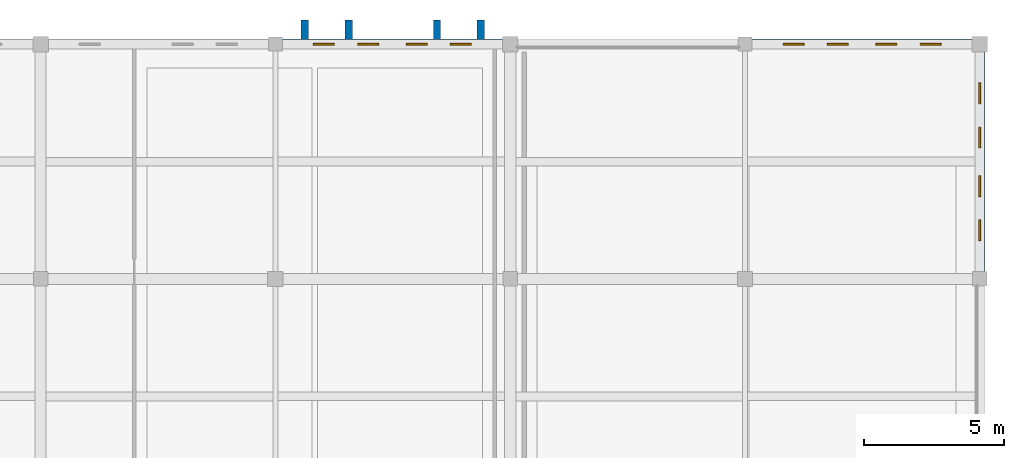
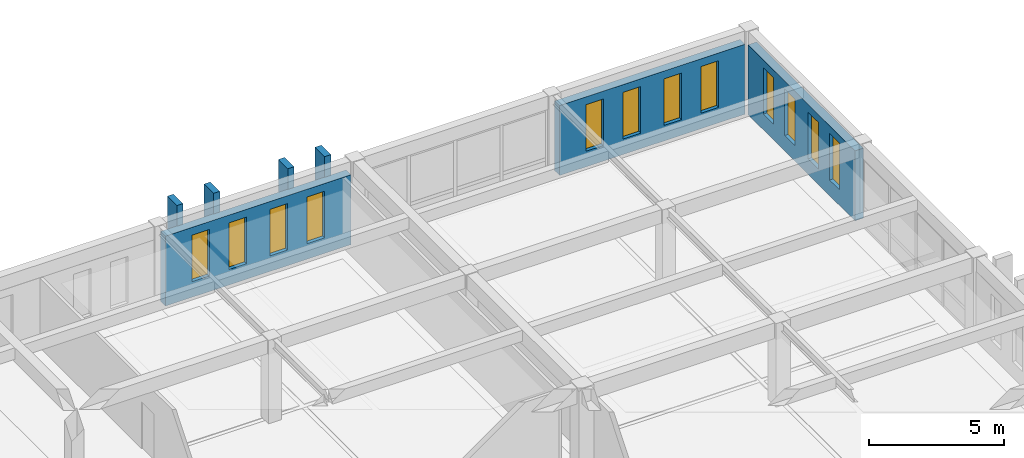
# One storey, part 39 of 47: 12 windows, 7 walls, 12 openings.
"""IFC4 building model written with IfcOpenShell, lengths in metres."""

from ifc_helpers import new_model, si_unit, direction, frame, frame_2d, origin, place, context, subcontext, project, spatial, rectangle, extrude, material, layer, layer_set, type_object, element, fill, save


model = new_model("IFC4")

# Units and contexts
model_context = context("Model", 3, precision=1e-05, world=origin(), true_north=direction((0.0, 1.0)))
body_context = subcontext(model_context, "Body", "Model", "MODEL_VIEW")
ifc_project = project(units=[si_unit("LENGTHUNIT", "METRE"), si_unit("AREAUNIT", "SQUARE_METRE"), si_unit("VOLUMEUNIT", "CUBIC_METRE"), si_unit("PLANEANGLEUNIT", "RADIAN"), si_unit("MASSUNIT", "GRAM", prefix="KILO")], contexts=[model_context])

# Site, building, storey
site_placement = place(None, origin())
site = spatial("IfcSite", under=ifc_project, at=site_placement, CompositionType="ELEMENT")
building_placement = place(site_placement, origin())
building = spatial("IfcBuilding", under=site, at=building_placement, Name="Kveldsbrygga Polytechnic", CompositionType="ELEMENT")
storey_placement = place(building_placement, frame((0.0, 0.0, 13.93994140625)))
storey = spatial("IfcBuildingStorey", under=building, at=storey_placement, Name="L03", CompositionType="ELEMENT", Elevation=13.93994140625)

# Wall, openings, windows
ifc_material_1 = material(Name="Fired clay brick masonry M10", Category="masonry")
ifc_layer_1 = layer(ifc_material_1, 0.360107421875)
ifc_layer_set_1 = layer_set([ifc_layer_1], Name="Fired clay brick masonry M10")
wall_type_1 = type_object("IfcWallType", Name="EW-BRICK-360", PredefinedType="SOLIDWALL", material=ifc_layer_set_1)
wall_1_placement = place(storey_placement, frame((143.034912109375, 117.60009765625, 0.0), z_axis=(0.0, 0.0, 1.0), x_axis=(1.0, 0.0, 0.0)))
wall_1 = element("IfcWall", 1, at=wall_1_placement, inside=storey, type_object=wall_type_1, Name="Exterior Brick Wall EW-L03-X-17-14", PredefinedType="SOLIDWALL", context=body_context, shape_type="SweptSolid", body=[
    extrude(rectangle(XDim=7.905029296875, YDim=0.360107421875, at=frame_2d((3.95263671875, 0.0))), origin(), (0.0, 0.0, 1.0), 3.150146484375),
])
opening_1_placement = place(wall_1_placement, frame((1.126953125, 0.0, 0.699951171875)))
opening_1 = element("IfcOpeningElement", 2, at=opening_1_placement, cuts=wall_1, Name="Opening W-27", PredefinedType="OPENING", context=body_context, shape_type="SweptSolid", body=[
    extrude(rectangle(XDim=0.75, YDim=2.10009765625, at=frame_2d((0.375, 1.050048828125))), frame((0.0, 0.18994140625, 0.0), z_axis=(0.0, -1.0, 0.0), x_axis=(1.0, 0.0, 0.0)), (0.0, 0.0, 1.0), 0.380126953125),
])
opening_2_placement = place(wall_1_placement, frame((2.7080078125, 0.0, 0.699951171875)))
opening_2 = element("IfcOpeningElement", 3, at=opening_2_placement, cuts=wall_1, Name="Opening W-27", PredefinedType="OPENING", context=body_context, shape_type="SweptSolid", body=[
    extrude(rectangle(XDim=0.75, YDim=2.10009765625, at=frame_2d((0.375, 1.050048828125))), frame((0.0, 0.18994140625, 0.0), z_axis=(0.0, -1.0, 0.0), x_axis=(1.0, 0.0, 0.0)), (0.0, 0.0, 1.0), 0.380126953125),
])
opening_3_placement = place(wall_1_placement, frame((4.447021484375, 0.0, 0.699951171875)))
opening_3 = element("IfcOpeningElement", 4, at=opening_3_placement, cuts=wall_1, Name="Opening W-27", PredefinedType="OPENING", context=body_context, shape_type="SweptSolid", body=[
    extrude(rectangle(XDim=0.75, YDim=2.10009765625, at=frame_2d((0.375, 1.050048828125))), frame((0.0, 0.18994140625, 0.0), z_axis=(0.0, -1.0, 0.0), x_axis=(1.0, 0.0, 0.0)), (0.0, 0.0, 1.0), 0.380126953125),
])
opening_4_placement = place(wall_1_placement, frame((6.028076171875, 0.0, 0.699951171875)))
opening_4 = element("IfcOpeningElement", 5, at=opening_4_placement, cuts=wall_1, Name="Opening W-27", PredefinedType="OPENING", context=body_context, shape_type="SweptSolid", body=[
    extrude(rectangle(XDim=0.75, YDim=2.10009765625, at=frame_2d((0.375, 1.050048828125))), frame((0.0, 0.18994140625, 0.0), z_axis=(0.0, -1.0, 0.0), x_axis=(1.0, 0.0, 0.0)), (0.0, 0.0, 1.0), 0.380126953125),
])
ifc_material_2 = material(Name="Insulated triple low-E glass", Category="glass")
window_type = type_object("IfcWindowType", Name="WN-ATTIC-075x210", PartitioningType="DOUBLE_PANEL_VERTICAL", PredefinedType="WINDOW", material=ifc_material_2)
window_1_placement = place(opening_1_placement, origin())
window_1 = element("IfcWindow", 6, at=window_1_placement, inside=storey, type_object=window_type, Name="Gothic Lancet Window WIN-L03-X-17-14-1", OverallHeight=2.10009765625, OverallWidth=0.75, PartitioningType="DOUBLE_PANEL_VERTICAL", PredefinedType="WINDOW", context=body_context, shape_type="SweptSolid", body=[
    extrude(rectangle(XDim=0.75, YDim=2.10009765625, at=frame_2d((0.375, 1.050048828125))), frame((0.0, 0.030029296875, 0.0), z_axis=(0.0, -1.0, 0.0), x_axis=(1.0, 0.0, 0.0)), (0.0, 0.0, 1.0), 0.06005859375),
])
fill(opening_1, window_1)
window_2_placement = place(opening_2_placement, origin())
window_2 = element("IfcWindow", 7, at=window_2_placement, inside=storey, type_object=window_type, Name="Gothic Lancet Window WIN-L03-X-17-14-2", OverallHeight=2.10009765625, OverallWidth=0.75, PartitioningType="DOUBLE_PANEL_VERTICAL", PredefinedType="WINDOW", context=body_context, shape_type="SweptSolid", body=[
    extrude(rectangle(XDim=0.75, YDim=2.10009765625, at=frame_2d((0.375, 1.050048828125))), frame((0.0, 0.030029296875, 0.0), z_axis=(0.0, -1.0, 0.0), x_axis=(1.0, 0.0, 0.0)), (0.0, 0.0, 1.0), 0.06005859375),
])
fill(opening_2, window_2)
window_3_placement = place(opening_3_placement, origin())
window_3 = element("IfcWindow", 8, at=window_3_placement, inside=storey, type_object=window_type, Name="Gothic Lancet Window WIN-L03-X-17-14-3", OverallHeight=2.10009765625, OverallWidth=0.75, PartitioningType="DOUBLE_PANEL_VERTICAL", PredefinedType="WINDOW", context=body_context, shape_type="SweptSolid", body=[
    extrude(rectangle(XDim=0.75, YDim=2.10009765625, at=frame_2d((0.375, 1.050048828125))), frame((0.0, 0.030029296875, 0.0), z_axis=(0.0, -1.0, 0.0), x_axis=(1.0, 0.0, 0.0)), (0.0, 0.0, 1.0), 0.06005859375),
])
fill(opening_3, window_3)
window_4_placement = place(opening_4_placement, origin())
window_4 = element("IfcWindow", 9, at=window_4_placement, inside=storey, type_object=window_type, Name="Gothic Lancet Window WIN-L03-X-17-14-4", OverallHeight=2.10009765625, OverallWidth=0.75, PartitioningType="DOUBLE_PANEL_VERTICAL", PredefinedType="WINDOW", context=body_context, shape_type="SweptSolid", body=[
    extrude(rectangle(XDim=0.75, YDim=2.10009765625, at=frame_2d((0.375, 1.050048828125))), frame((0.0, 0.030029296875, 0.0), z_axis=(0.0, -1.0, 0.0), x_axis=(1.0, 0.0, 0.0)), (0.0, 0.0, 1.0), 0.06005859375),
])
fill(opening_4, window_4)

wall_2_placement = place(storey_placement, frame((159.8349609375, 117.60009765625, 0.0), z_axis=(0.0, 0.0, 1.0), x_axis=(1.0, 0.0, 0.0)))
wall_2 = element("IfcWall", 10, at=wall_2_placement, inside=storey, type_object=wall_type_1, Name="Exterior Brick Wall EW-L03-X-19-14", PredefinedType="SOLIDWALL", context=body_context, shape_type="SweptSolid", body=[
    extrude(rectangle(XDim=7.905029296875, YDim=0.360107421875, at=frame_2d((3.95263671875, 0.0))), origin(), (0.0, 0.0, 1.0), 3.150146484375),
])
opening_5_placement = place(wall_2_placement, frame((1.126953125, 0.0, 0.699951171875)))
opening_5 = element("IfcOpeningElement", 11, at=opening_5_placement, cuts=wall_2, Name="Opening W-27", PredefinedType="OPENING", context=body_context, shape_type="SweptSolid", body=[
    extrude(rectangle(XDim=0.75, YDim=2.10009765625, at=frame_2d((0.375, 1.050048828125))), frame((0.0, 0.18994140625, 0.0), z_axis=(0.0, -1.0, 0.0), x_axis=(1.0, 0.0, 0.0)), (0.0, 0.0, 1.0), 0.380126953125),
])
opening_6_placement = place(wall_2_placement, frame((2.7080078125, 0.0, 0.699951171875)))
opening_6 = element("IfcOpeningElement", 12, at=opening_6_placement, cuts=wall_2, Name="Opening W-27", PredefinedType="OPENING", context=body_context, shape_type="SweptSolid", body=[
    extrude(rectangle(XDim=0.75, YDim=2.10009765625, at=frame_2d((0.375, 1.050048828125))), frame((0.0, 0.18994140625, 0.0), z_axis=(0.0, -1.0, 0.0), x_axis=(1.0, 0.0, 0.0)), (0.0, 0.0, 1.0), 0.380126953125),
])
opening_7_placement = place(wall_2_placement, frame((4.447021484375, 0.0, 0.699951171875)))
opening_7 = element("IfcOpeningElement", 13, at=opening_7_placement, cuts=wall_2, Name="Opening W-27", PredefinedType="OPENING", context=body_context, shape_type="SweptSolid", body=[
    extrude(rectangle(XDim=0.75, YDim=2.10009765625, at=frame_2d((0.375, 1.050048828125))), frame((0.0, 0.18994140625, 0.0), z_axis=(0.0, -1.0, 0.0), x_axis=(1.0, 0.0, 0.0)), (0.0, 0.0, 1.0), 0.380126953125),
])
opening_8_placement = place(wall_2_placement, frame((6.028076171875, 0.0, 0.699951171875)))
opening_8 = element("IfcOpeningElement", 14, at=opening_8_placement, cuts=wall_2, Name="Opening W-27", PredefinedType="OPENING", context=body_context, shape_type="SweptSolid", body=[
    extrude(rectangle(XDim=0.75, YDim=2.10009765625, at=frame_2d((0.375, 1.050048828125))), frame((0.0, 0.18994140625, 0.0), z_axis=(0.0, -1.0, 0.0), x_axis=(1.0, 0.0, 0.0)), (0.0, 0.0, 1.0), 0.380126953125),
])
window_5_placement = place(opening_5_placement, origin())
window_5 = element("IfcWindow", 15, at=window_5_placement, inside=storey, type_object=window_type, Name="Gothic Lancet Window WIN-L03-X-19-14-1", OverallHeight=2.10009765625, OverallWidth=0.75, PartitioningType="DOUBLE_PANEL_VERTICAL", PredefinedType="WINDOW", context=body_context, shape_type="SweptSolid", body=[
    extrude(rectangle(XDim=0.75, YDim=2.10009765625, at=frame_2d((0.375, 1.050048828125))), frame((0.0, 0.030029296875, 0.0), z_axis=(0.0, -1.0, 0.0), x_axis=(1.0, 0.0, 0.0)), (0.0, 0.0, 1.0), 0.06005859375),
])
fill(opening_5, window_5)
window_6_placement = place(opening_6_placement, origin())
window_6 = element("IfcWindow", 16, at=window_6_placement, inside=storey, type_object=window_type, Name="Gothic Lancet Window WIN-L03-X-19-14-2", OverallHeight=2.10009765625, OverallWidth=0.75, PartitioningType="DOUBLE_PANEL_VERTICAL", PredefinedType="WINDOW", context=body_context, shape_type="SweptSolid", body=[
    extrude(rectangle(XDim=0.75, YDim=2.10009765625, at=frame_2d((0.375, 1.050048828125))), frame((0.0, 0.030029296875, 0.0), z_axis=(0.0, -1.0, 0.0), x_axis=(1.0, 0.0, 0.0)), (0.0, 0.0, 1.0), 0.06005859375),
])
fill(opening_6, window_6)
window_7_placement = place(opening_7_placement, origin())
window_7 = element("IfcWindow", 17, at=window_7_placement, inside=storey, type_object=window_type, Name="Gothic Lancet Window WIN-L03-X-19-14-3", OverallHeight=2.10009765625, OverallWidth=0.75, PartitioningType="DOUBLE_PANEL_VERTICAL", PredefinedType="WINDOW", context=body_context, shape_type="SweptSolid", body=[
    extrude(rectangle(XDim=0.75, YDim=2.10009765625, at=frame_2d((0.375, 1.050048828125))), frame((0.0, 0.030029296875, 0.0), z_axis=(0.0, -1.0, 0.0), x_axis=(1.0, 0.0, 0.0)), (0.0, 0.0, 1.0), 0.06005859375),
])
fill(opening_7, window_7)
window_8_placement = place(opening_8_placement, origin())
window_8 = element("IfcWindow", 18, at=window_8_placement, inside=storey, type_object=window_type, Name="Gothic Lancet Window WIN-L03-X-19-14-4", OverallHeight=2.10009765625, OverallWidth=0.75, PartitioningType="DOUBLE_PANEL_VERTICAL", PredefinedType="WINDOW", context=body_context, shape_type="SweptSolid", body=[
    extrude(rectangle(XDim=0.75, YDim=2.10009765625, at=frame_2d((0.375, 1.050048828125))), frame((0.0, 0.030029296875, 0.0), z_axis=(0.0, -1.0, 0.0), x_axis=(1.0, 0.0, 0.0)), (0.0, 0.0, 1.0), 0.06005859375),
])
fill(opening_8, window_8)

wall_3_placement = place(storey_placement, frame((168.0, 109.445068359375, 0.0), z_axis=(0.0, 0.0, 1.0), x_axis=(0.0, 1.0, 0.0)))
wall_3 = element("IfcWall", 19, at=wall_3_placement, inside=storey, type_object=wall_type_1, Name="Exterior Brick Wall EW-L03-Y-20-13", PredefinedType="SOLIDWALL", context=body_context, shape_type="SweptSolid", body=[
    extrude(rectangle(XDim=7.89501953125, YDim=0.360107421875, at=frame_2d((3.947509765625, 0.0))), origin(), (0.0, 0.0, 1.0), 3.150146484375),
])
opening_9_placement = place(wall_3_placement, frame((1.125, 0.0, 0.699951171875)))
opening_9 = element("IfcOpeningElement", 20, at=opening_9_placement, cuts=wall_3, Name="Opening W-27", PredefinedType="OPENING", context=body_context, shape_type="SweptSolid", body=[
    extrude(rectangle(XDim=0.75, YDim=2.10009765625, at=frame_2d((0.375, 1.050048828125))), frame((0.0, 0.18994140625, 0.0), z_axis=(0.0, -1.0, 0.0), x_axis=(1.0, 0.0, 0.0)), (0.0, 0.0, 1.0), 0.380126953125),
])
opening_10_placement = place(wall_3_placement, frame((2.7041015625, 0.0, 0.699951171875)))
opening_10 = element("IfcOpeningElement", 21, at=opening_10_placement, cuts=wall_3, Name="Opening W-27", PredefinedType="OPENING", context=body_context, shape_type="SweptSolid", body=[
    extrude(rectangle(XDim=0.75, YDim=2.10009765625, at=frame_2d((0.375, 1.050048828125))), frame((0.0, 0.18994140625, 0.0), z_axis=(0.0, -1.0, 0.0), x_axis=(1.0, 0.0, 0.0)), (0.0, 0.0, 1.0), 0.380126953125),
])
opening_11_placement = place(wall_3_placement, frame((4.44091796875, 0.0, 0.699951171875)))
opening_11 = element("IfcOpeningElement", 22, at=opening_11_placement, cuts=wall_3, Name="Opening W-27", PredefinedType="OPENING", context=body_context, shape_type="SweptSolid", body=[
    extrude(rectangle(XDim=0.75, YDim=2.10009765625, at=frame_2d((0.375, 1.050048828125))), frame((0.0, 0.18994140625, 0.0), z_axis=(0.0, -1.0, 0.0), x_axis=(1.0, 0.0, 0.0)), (0.0, 0.0, 1.0), 0.380126953125),
])
opening_12_placement = place(wall_3_placement, frame((6.02001953125, 0.0, 0.699951171875)))
opening_12 = element("IfcOpeningElement", 23, at=opening_12_placement, cuts=wall_3, Name="Opening W-27", PredefinedType="OPENING", context=body_context, shape_type="SweptSolid", body=[
    extrude(rectangle(XDim=0.75, YDim=2.10009765625, at=frame_2d((0.375, 1.050048828125))), frame((0.0, 0.18994140625, 0.0), z_axis=(0.0, -1.0, 0.0), x_axis=(1.0, 0.0, 0.0)), (0.0, 0.0, 1.0), 0.380126953125),
])
window_9_placement = place(opening_9_placement, origin())
window_9 = element("IfcWindow", 24, at=window_9_placement, inside=storey, type_object=window_type, Name="Gothic Lancet Window WIN-L03-Y-20-13-1", OverallHeight=2.10009765625, OverallWidth=0.75, PartitioningType="DOUBLE_PANEL_VERTICAL", PredefinedType="WINDOW", context=body_context, shape_type="SweptSolid", body=[
    extrude(rectangle(XDim=0.75, YDim=2.10009765625, at=frame_2d((0.375, 1.050048828125))), frame((0.0, 0.030029296875, 0.0), z_axis=(0.0, -1.0, 0.0), x_axis=(1.0, 0.0, 0.0)), (0.0, 0.0, 1.0), 0.06005859375),
])
fill(opening_9, window_9)
window_10_placement = place(opening_10_placement, origin())
window_10 = element("IfcWindow", 25, at=window_10_placement, inside=storey, type_object=window_type, Name="Gothic Lancet Window WIN-L03-Y-20-13-2", OverallHeight=2.10009765625, OverallWidth=0.75, PartitioningType="DOUBLE_PANEL_VERTICAL", PredefinedType="WINDOW", context=body_context, shape_type="SweptSolid", body=[
    extrude(rectangle(XDim=0.75, YDim=2.10009765625, at=frame_2d((0.375, 1.050048828125))), frame((0.0, 0.030029296875, 0.0), z_axis=(0.0, -1.0, 0.0), x_axis=(1.0, 0.0, 0.0)), (0.0, 0.0, 1.0), 0.06005859375),
])
fill(opening_10, window_10)
window_11_placement = place(opening_11_placement, origin())
window_11 = element("IfcWindow", 26, at=window_11_placement, inside=storey, type_object=window_type, Name="Gothic Lancet Window WIN-L03-Y-20-13-3", OverallHeight=2.10009765625, OverallWidth=0.75, PartitioningType="DOUBLE_PANEL_VERTICAL", PredefinedType="WINDOW", context=body_context, shape_type="SweptSolid", body=[
    extrude(rectangle(XDim=0.75, YDim=2.10009765625, at=frame_2d((0.375, 1.050048828125))), frame((0.0, 0.030029296875, 0.0), z_axis=(0.0, -1.0, 0.0), x_axis=(1.0, 0.0, 0.0)), (0.0, 0.0, 1.0), 0.06005859375),
])
fill(opening_11, window_11)
window_12_placement = place(opening_12_placement, origin())
window_12 = element("IfcWindow", 27, at=window_12_placement, inside=storey, type_object=window_type, Name="Gothic Lancet Window WIN-L03-Y-20-13-4", OverallHeight=2.10009765625, OverallWidth=0.75, PartitioningType="DOUBLE_PANEL_VERTICAL", PredefinedType="WINDOW", context=body_context, shape_type="SweptSolid", body=[
    extrude(rectangle(XDim=0.75, YDim=2.10009765625, at=frame_2d((0.375, 1.050048828125))), frame((0.0, 0.030029296875, 0.0), z_axis=(0.0, -1.0, 0.0), x_axis=(1.0, 0.0, 0.0)), (0.0, 0.0, 1.0), 0.06005859375),
])
fill(opening_12, window_12)

# Walls
ifc_layer_2 = layer(ifc_material_1, 0.260009765625)
ifc_layer_set_2 = layer_set([ifc_layer_2], Name="Fired clay brick masonry M10")
wall_type_2 = type_object("IfcWallType", Name="EW-BUTT-260", PredefinedType="SOLIDWALL", material=ifc_layer_set_2)
for number, where, z_axis, x_axis, name in (
    (28, (143.85009765625, 117.764892578125, 0.0), (0.0, 0.0, 1.0), (0.0, 1.0, 0.0), "Gothic Brick Buttress Pier BUTT-L03-X-17-14-1"),
    (29, (145.419921875, 117.764892578125, 0.0), (0.0, 0.0, 1.0), (0.0, 1.0, 0.0), "Gothic Brick Buttress Pier BUTT-L03-X-17-14-2"),
    (30, (148.580078125, 117.764892578125, 0.0), (0.0, 0.0, 1.0), (0.0, 1.0, 0.0), "Gothic Brick Buttress Pier BUTT-L03-X-17-14-4"),
    (31, (150.14990234375, 117.764892578125, 0.0), (0.0, 0.0, 1.0), (0.0, 1.0, 0.0), "Gothic Brick Buttress Pier BUTT-L03-X-17-14-5"),
):
    element("IfcWall", number, at=place(storey_placement, frame(where, z_axis=z_axis, x_axis=x_axis)), inside=storey, type_object=wall_type_2, Name=name, PredefinedType="SOLIDWALL", context=body_context, shape_type="SweptSolid", body=[
        extrude(rectangle(XDim=0.7001953125, YDim=0.260009765625, at=frame_2d((0.35009765625, 0.0))), origin(), (0.0, 0.0, 1.0), 4.080078125),
    ])

save(model, "model.ifc")
